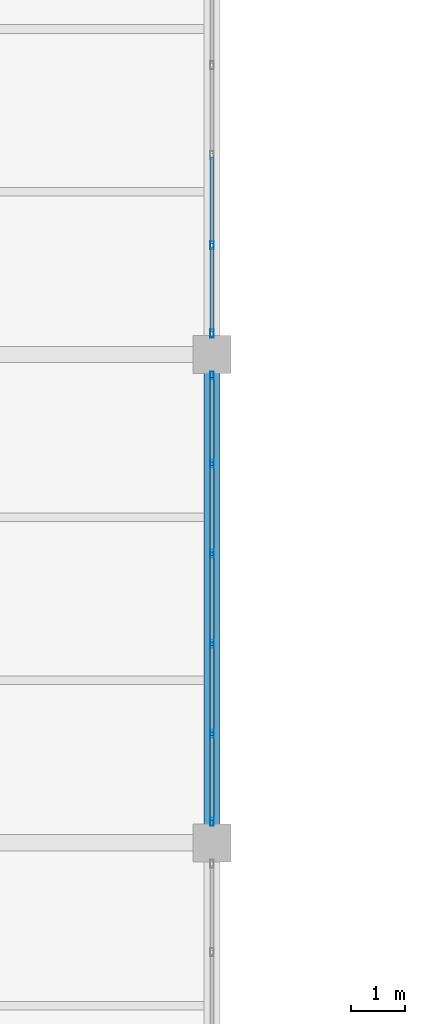
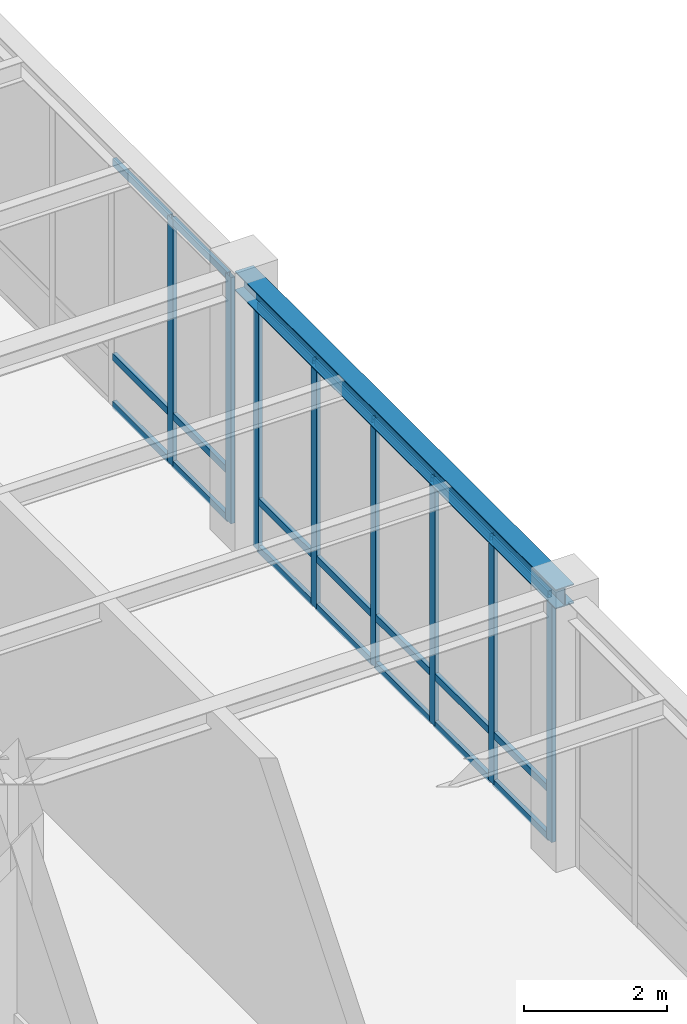
# One storey, part 37 of 98: 29 members, 1 beam, 2 elements without a shape of their own.
"""IFC4 building model written with IfcOpenShell, lengths in metres."""

import ifcopenshell
import ifcopenshell.guid

model = None  # the IFC model being written
_history = None  # IfcOwnerHistory: only IFC2X3 demands one
_inside = {}  # id of a spatial element -> (the spatial element, [elements in it])
_under = {}  # id of a project, library or spatial element -> (it, [spatial elements below it])
_declared = {}  # id of a project -> (the project, [libraries it declares])
_typed = {}  # id of a type object -> (the type object, [elements of that type])
_made_of = {}  # id of a material, layer set ... -> (it, [elements and type objects made of it])


def new_model(schema):
    """Start an empty IFC model of exactly this schema.

    Asked for "IFC4X3", IfcOpenShell would pick the latest addendum, in which some entities
    have other attributes; the version numbers below select the first issue.
    IFC2X3 requires an IfcOwnerHistory on every rooted entity: one is made here for all.
    """
    global model, _history
    if schema == "IFC4X3":
        model = ifcopenshell.file(schema_version=(4, 3, 0, 0))
    else:
        model = ifcopenshell.file(schema=schema)
    _inside.clear()
    _under.clear()
    _declared.clear()
    _typed.clear()
    _made_of.clear()
    _history = None
    if model.schema == "IFC2X3":
        org = make("IfcOrganization", Name="unknown")
        user = make(
            "IfcPersonAndOrganization",
            ThePerson=make("IfcPerson", FamilyName="unknown"),
            TheOrganization=org,
        )
        app = make(
            "IfcApplication",
            ApplicationDeveloper=org,
            Version="unknown",
            ApplicationFullName="unknown",
            ApplicationIdentifier="unknown",
        )
        _history = make(
            "IfcOwnerHistory",
            OwningUser=user,
            OwningApplication=app,
            ChangeAction="ADDED",
            CreationDate=0,
        )
    return model


def make(cls, **values):
    """One entity of the class cls with the attributes given. An attribute that is None is left unset."""
    return model.create_entity(
        cls, **{name: value for name, value in values.items() if value is not None}
    )


def rooted(cls, **values):
    """An entity with a GlobalId (a new one), such as an element, a storey or a relation."""
    return make(cls, GlobalId=ifcopenshell.guid.new(), OwnerHistory=_history, **values)


def si_unit(unit_type, name, prefix=None):
    """IfcSIUnit, for example si_unit("LENGTHUNIT", "METRE", prefix="MILLI")."""
    return make("IfcSIUnit", UnitType=unit_type, Prefix=prefix, Name=name)


def assignment(units):
    """IfcUnitAssignment: the units of a project."""
    return None if units is None else make("IfcUnitAssignment", Units=units)


def point(xyz):
    """IfcCartesianPoint."""
    return None if xyz is None else make("IfcCartesianPoint", Coordinates=xyz)


def direction(xyz):
    """IfcDirection."""
    return None if xyz is None else make("IfcDirection", DirectionRatios=xyz)


def frame(location, z_axis=None, x_axis=None):
    """IfcAxis2Placement3D, a coordinate frame: its origin and axes. An axis left out is left unset."""
    return make(
        "IfcAxis2Placement3D",
        Location=point(location),
        Axis=direction(z_axis),
        RefDirection=direction(x_axis),
    )


def frame_2d(location, x_axis=None):
    """IfcAxis2Placement2D, a coordinate frame in the plane: its origin and x axis."""
    return make(
        "IfcAxis2Placement2D", Location=point(location), RefDirection=direction(x_axis)
    )


def origin():
    """The frame at (0, 0, 0) with its axes left unset."""
    return frame((0.0, 0.0, 0.0))


def origin_2d():
    """The frame at (0, 0) in the plane with its x axis left unset."""
    return frame_2d((0.0, 0.0))


def place(relative_to, where):
    """IfcLocalPlacement: puts the frame where relative to a parent placement (None: the world)."""
    return make(
        "IfcLocalPlacement", PlacementRelTo=relative_to, RelativePlacement=where
    )


def context(
    kind, dimensions, precision=None, world=None, true_north=None, identifier=None
):
    """IfcGeometricRepresentationContext, for example the 3D "Model" context."""
    return make(
        "IfcGeometricRepresentationContext",
        ContextIdentifier=identifier,
        ContextType=kind,
        CoordinateSpaceDimension=dimensions,
        Precision=precision,
        WorldCoordinateSystem=world,
        TrueNorth=true_north,
    )


def subcontext(parent, identifier, kind, view, scale=None):
    """IfcGeometricRepresentationSubContext, for example "Body" below "Model"."""
    return make(
        "IfcGeometricRepresentationSubContext",
        ContextIdentifier=identifier,
        ContextType=kind,
        ParentContext=parent,
        TargetScale=scale,
        TargetView=view,
    )


def project(units=None, contexts=None):
    """IfcProject with its units and contexts."""
    return rooted(
        "IfcProject",
        Name="project",
        RepresentationContexts=contexts,
        UnitsInContext=assignment(units),
    )


def spatial(cls, under=None, at=None, **own):
    """A site, building, storey or space (cls), placed at a placement, below another one or the project."""
    s = rooted(cls, ObjectPlacement=at, **own)
    if under is not None:
        _under.setdefault(under.id(), (under, []))[1].append(s)
    return s


def profile(cls, at=None, kind="AREA", **sizes):
    """A parametric profile (cls). Its sizes go by their IFC names, for example OverallWidth=200.0."""
    return make(cls, ProfileType=kind, Position=at, **sizes)


def hollow_rectangle(**sizes):
    """IfcRectangleHollowProfileDef."""
    return profile("IfcRectangleHollowProfileDef", **sizes)


def i_section(**sizes):
    """IfcIShapeProfileDef."""
    return profile("IfcIShapeProfileDef", **sizes)


def extrude(swept, where, along, depth):
    """IfcExtrudedAreaSolid: the profile swept, set in the frame where, extruded along a direction by depth."""
    return make(
        "IfcExtrudedAreaSolid",
        SweptArea=swept,
        Position=where,
        ExtrudedDirection=direction(along),
        Depth=depth,
    )


def shape(context_of_items, identifier, shape_type, items):
    """IfcShapeRepresentation: the items that make up one representation, for example the "Body"."""
    return make(
        "IfcShapeRepresentation",
        ContextOfItems=context_of_items,
        RepresentationIdentifier=identifier,
        RepresentationType=shape_type,
        Items=items,
    )


def material(Name=None, Category=None):
    """IfcMaterial."""
    return make("IfcMaterial", Name=Name, Category=Category)


def material_profile(
    of_material, cross_section, Name=None, Category=None, Priority=None
):
    """IfcMaterialProfile: a cross section and its material."""
    return make(
        "IfcMaterialProfile",
        Name=Name,
        Material=of_material,
        Profile=cross_section,
        Priority=Priority,
        Category=Category,
    )


def profile_set(profiles, Name=None, composite=None):
    """IfcMaterialProfileSet."""
    return make(
        "IfcMaterialProfileSet",
        Name=Name,
        MaterialProfiles=profiles,
        CompositeProfile=composite,
    )


def made_of(thing, what):
    """Note that an element or type object is made of a material, layer set ...; save() writes the relation."""
    if what is not None:
        _made_of.setdefault(what.id(), (what, []))[1].append(thing)
    return thing


def type_object(cls, material=None, **own):
    """A type object (cls), such as IfcWallType, which elements share."""
    return made_of(rooted(cls, **own), material)


def element(
    cls,
    number,
    at=None,
    inside=None,
    cuts=None,
    type_object=None,
    material=None,
    context=None,
    identifier="Body",
    shape_type=None,
    held_by="IfcProductDefinitionShape",
    body=None,
    shapes=None,
    **own,
):
    """One element of the class cls, such as IfcWall. Its Tag is "e" and its number.

    at: its placement. inside: the storey or other place that contains it. cuts: it is an
    opening in that element (IfcRelVoidsElement). A single representation is given by context,
    identifier, shape_type and body (its items); several are given by shapes. held_by: the class
    of the entity that holds the representations. save() writes the other relations.
    """
    e = rooted(cls, Tag="e%d" % number, ObjectPlacement=at, **own)
    if body is not None:
        shapes = [shape(context, identifier, shape_type, body)]
    if shapes is not None:
        e.Representation = make(held_by, Representations=shapes)
    if inside is not None:
        _inside.setdefault(inside.id(), (inside, []))[1].append(e)
    if cuts is not None:
        rooted(
            "IfcRelVoidsElement", RelatingBuildingElement=cuts, RelatedOpeningElement=e
        )
    if type_object is not None:
        _typed.setdefault(type_object.id(), (type_object, []))[1].append(e)
    return made_of(e, material)


def aggregate(whole, parts):
    """IfcRelAggregates: a whole, such as a stair, and the parts it consists of."""
    return rooted("IfcRelAggregates", RelatingObject=whole, RelatedObjects=parts)


def save(model, path):
    """Write the relations noted so far, then the file.

    IfcRelAggregates (storeys below a building ...), IfcRelContainedInSpatialStructure (elements
    in a storey), IfcRelDefinesByType, IfcRelAssociatesMaterial and IfcRelDeclares: one each for
    every whole, place, type object, material and project.
    """
    for whole, parts in _under.values():
        aggregate(whole, parts)
    for where, things in _inside.values():
        rooted(
            "IfcRelContainedInSpatialStructure",
            RelatedElements=things,
            RelatingStructure=where,
        )
    for kind, things in _typed.values():
        rooted("IfcRelDefinesByType", RelatedObjects=things, RelatingType=kind)
    for what, things in _made_of.values():
        rooted("IfcRelAssociatesMaterial", RelatedObjects=things, RelatingMaterial=what)
    for by, libraries in _declared.values():
        rooted("IfcRelDeclares", RelatingContext=by, RelatedDefinitions=libraries)
    model.write(path)


model = new_model("IFC4")

# Units and contexts
model_context = context("Model", 3, precision=1e-05, world=origin(), true_north=direction((0.0, 1.0)))
body_context = subcontext(model_context, "Body", "Model", "MODEL_VIEW")
ifc_project = project(units=[si_unit("LENGTHUNIT", "METRE"), si_unit("AREAUNIT", "SQUARE_METRE"), si_unit("VOLUMEUNIT", "CUBIC_METRE"), si_unit("PLANEANGLEUNIT", "RADIAN"), si_unit("MASSUNIT", "GRAM", prefix="KILO")], contexts=[model_context])

# Site, building, storey
site_placement = place(None, origin())
site = spatial("IfcSite", under=ifc_project, at=site_placement, CompositionType="ELEMENT")
building_placement = place(site_placement, origin())
building = spatial("IfcBuilding", under=site, at=building_placement, Name="Lykobir Media Centre", CompositionType="ELEMENT")
storey_placement = place(building_placement, frame((0.0, 0.0, 10.199951171875)))
storey = spatial("IfcBuildingStorey", under=building, at=storey_placement, Name="L02", CompositionType="ELEMENT", Elevation=10.199951171875)

# Beam
ifc_material_1 = material(Name="Steel S355", Category="steel")
ifc_material_profile_1 = material_profile(ifc_material_1, i_section(OverallWidth=0.300048828125, OverallDepth=0.330078125, WebThickness=0.009521484375, FlangeThickness=0.0166015625, at=origin_2d()), Name="HEA 340")
ifc_profile_set_1 = profile_set([ifc_material_profile_1], Name="Steel S355")
beam_type = type_object("IfcBeamType", Name="BM-HEA340", PredefinedType="BEAM", material=ifc_profile_set_1)
beam_placement = place(storey_placement, frame((99.0, 45.0, 4.39501953125), z_axis=(0.0, 1.0, 0.0), x_axis=(-1.0, 0.0, 0.0)))
element("IfcBeam", 1, at=beam_placement, inside=storey, type_object=beam_type, Name="Beam BM-L02-0990-0450-0990-0540-1460", PredefinedType="BEAM", context=body_context, shape_type="SweptSolid", body=[
    extrude(i_section(OverallWidth=0.300048828125, OverallDepth=0.330078125, WebThickness=0.009521484375, FlangeThickness=0.0166015625, at=origin_2d()), origin(), (0.0, 0.0, 1.0), 9.0),
])

# Curtain wall, members
ifc_material_2 = material(Name="Anodized Aluminium AW-6060", Category="aluminium")
curtain_wall_type = type_object("IfcCurtainWallType", Name="CW-COURT-A", PredefinedType="NOTDEFINED", material=ifc_material_2)
curtain_wall_1_placement = place(storey_placement, origin())
curtain_wall_1 = element("IfcCurtainWall", 2, at=curtain_wall_1_placement, inside=storey, type_object=curtain_wall_type, Name="Curtain wall CW2-L02-0105", PredefinedType="NOTDEFINED")
ifc_material_profile_2 = material_profile(ifc_material_2, hollow_rectangle(XDim=0.06494140625, YDim=0.14990234375, WallThickness=0.00341796875, at=origin_2d()), Name="ALU MULLION 65x150")
ifc_profile_set_2 = profile_set([ifc_material_profile_2], Name="Anodized Aluminium AW-6060")
member_type_1 = type_object("IfcMemberType", Name="CWM-150", PredefinedType="MULLION", material=ifc_profile_set_2)
member_1_placement = place(storey_placement, frame((99.0, 53.612548828125, 0.0), z_axis=(0.0, 0.0, 1.0), x_axis=(1.0, 0.0, 0.0)))
member_1 = element("IfcMember", 3, at=member_1_placement, type_object=member_type_1, Name="CW2-L02-0105 mullion 1", PredefinedType="MULLION", context=body_context, shape_type="SweptSolid", body=[
    extrude(hollow_rectangle(XDim=0.06494140625, YDim=0.14990234375, WallThickness=0.00341796875, at=origin_2d()), origin(), (0.0, 0.0, 1.0), 4.215087890625),
])
member_2_placement = place(storey_placement, frame((99.0, 51.987060546875, 0.0), z_axis=(0.0, 0.0, 1.0), x_axis=(1.0, 0.0, 0.0)))
member_2 = element("IfcMember", 4, at=member_2_placement, type_object=member_type_1, Name="CW2-L02-0105 mullion 2", PredefinedType="MULLION", context=body_context, shape_type="SweptSolid", body=[
    extrude(hollow_rectangle(XDim=0.06494140625, YDim=0.14990234375, WallThickness=0.00341796875, at=origin_2d()), origin(), (0.0, 0.0, 1.0), 4.215087890625),
])
member_3_placement = place(storey_placement, frame((99.0, 50.3291015625, 0.0), z_axis=(0.0, 0.0, 1.0), x_axis=(1.0, 0.0, 0.0)))
member_3 = element("IfcMember", 5, at=member_3_placement, type_object=member_type_1, Name="CW2-L02-0105 mullion 3", PredefinedType="MULLION", context=body_context, shape_type="SweptSolid", body=[
    extrude(hollow_rectangle(XDim=0.06494140625, YDim=0.14990234375, WallThickness=0.00341796875, at=origin_2d()), origin(), (0.0, 0.0, 1.0), 4.215087890625),
])
member_4_placement = place(storey_placement, frame((99.0, 48.6708984375, 0.0), z_axis=(0.0, 0.0, 1.0), x_axis=(1.0, 0.0, 0.0)))
member_4 = element("IfcMember", 6, at=member_4_placement, type_object=member_type_1, Name="CW2-L02-0105 mullion 4", PredefinedType="MULLION", context=body_context, shape_type="SweptSolid", body=[
    extrude(hollow_rectangle(XDim=0.06494140625, YDim=0.14990234375, WallThickness=0.00341796875, at=origin_2d()), origin(), (0.0, 0.0, 1.0), 4.215087890625),
])
member_5_placement = place(storey_placement, frame((99.0, 47.012939453125, 0.0), z_axis=(0.0, 0.0, 1.0), x_axis=(1.0, 0.0, 0.0)))
member_5 = element("IfcMember", 7, at=member_5_placement, type_object=member_type_1, Name="CW2-L02-0105 mullion 5", PredefinedType="MULLION", context=body_context, shape_type="SweptSolid", body=[
    extrude(hollow_rectangle(XDim=0.06494140625, YDim=0.14990234375, WallThickness=0.00341796875, at=origin_2d()), origin(), (0.0, 0.0, 1.0), 4.215087890625),
])
member_6_placement = place(storey_placement, frame((99.0, 45.387451171875, 0.0), z_axis=(0.0, 0.0, 1.0), x_axis=(1.0, 0.0, 0.0)))
member_6 = element("IfcMember", 8, at=member_6_placement, type_object=member_type_1, Name="CW2-L02-0105 mullion 6", PredefinedType="MULLION", context=body_context, shape_type="SweptSolid", body=[
    extrude(hollow_rectangle(XDim=0.06494140625, YDim=0.14990234375, WallThickness=0.00341796875, at=origin_2d()), origin(), (0.0, 0.0, 1.0), 4.215087890625),
])

curtain_wall_2_placement = place(storey_placement, origin())
curtain_wall_2 = element("IfcCurtainWall", 9, at=curtain_wall_2_placement, inside=storey, type_object=curtain_wall_type, Name="Curtain wall CW2-L02-0106", PredefinedType="NOTDEFINED")
member_7_placement = place(storey_placement, frame((99.0, 56.012939453125, 0.0), z_axis=(0.0, 0.0, 1.0), x_axis=(1.0, 0.0, 0.0)))
member_7 = element("IfcMember", 10, at=member_7_placement, type_object=member_type_1, Name="CW2-L02-0106 mullion 5", PredefinedType="MULLION", context=body_context, shape_type="SweptSolid", body=[
    extrude(hollow_rectangle(XDim=0.06494140625, YDim=0.14990234375, WallThickness=0.00341796875, at=origin_2d()), origin(), (0.0, 0.0, 1.0), 4.215087890625),
])
member_8_placement = place(storey_placement, frame((99.0, 54.387451171875, 0.0), z_axis=(0.0, 0.0, 1.0), x_axis=(1.0, 0.0, 0.0)))
member_8 = element("IfcMember", 11, at=member_8_placement, type_object=member_type_1, Name="CW2-L02-0106 mullion 6", PredefinedType="MULLION", context=body_context, shape_type="SweptSolid", body=[
    extrude(hollow_rectangle(XDim=0.06494140625, YDim=0.14990234375, WallThickness=0.00341796875, at=origin_2d()), origin(), (0.0, 0.0, 1.0), 4.215087890625),
])

# Member
ifc_material_profile_3 = material_profile(ifc_material_2, hollow_rectangle(XDim=0.06494140625, YDim=0.1201171875, WallThickness=0.0029296875, at=origin_2d()), Name="ALU TRANSOM 65x120")
ifc_profile_set_3 = profile_set([ifc_material_profile_3], Name="Anodized Aluminium AW-6060")
member_type_2 = type_object("IfcMemberType", Name="CWT-120", PredefinedType="USERDEFINED", material=ifc_profile_set_3)
member_9_placement = place(storey_placement, frame((99.0, 53.580078125, 0.032470703125), z_axis=(0.0, -1.0, 0.0), x_axis=(1.0, 0.0, 0.0)))
member_9 = element("IfcMember", 12, at=member_9_placement, type_object=member_type_2, Name="CW2-L02-0105 transom 1.1", ObjectType="TRANSOM", PredefinedType="USERDEFINED", context=body_context, shape_type="SweptSolid", body=[
    extrude(hollow_rectangle(XDim=0.06494140625, YDim=0.1201171875, WallThickness=0.0029296875, at=origin_2d()), origin(), (0.0, 0.0, 1.0), 1.560546875),
])

member_10_placement = place(storey_placement, frame((99.0, 53.580078125, 0.85009765625), z_axis=(0.0, -1.0, 0.0), x_axis=(1.0, 0.0, 0.0)))
member_10 = element("IfcMember", 13, at=member_10_placement, type_object=member_type_2, Name="CW2-L02-0105 transom 1.2", ObjectType="TRANSOM", PredefinedType="USERDEFINED", context=body_context, shape_type="SweptSolid", body=[
    extrude(hollow_rectangle(XDim=0.06494140625, YDim=0.1201171875, WallThickness=0.0029296875, at=origin_2d()), origin(), (0.0, 0.0, 1.0), 1.560546875),
])

member_11_placement = place(storey_placement, frame((99.0, 53.580078125, 4.1826171875), z_axis=(0.0, -1.0, 0.0), x_axis=(1.0, 0.0, 0.0)))
member_11 = element("IfcMember", 14, at=member_11_placement, type_object=member_type_2, Name="CW2-L02-0105 transom 1.3", ObjectType="TRANSOM", PredefinedType="USERDEFINED", context=body_context, shape_type="SweptSolid", body=[
    extrude(hollow_rectangle(XDim=0.06494140625, YDim=0.1201171875, WallThickness=0.0029296875, at=origin_2d()), origin(), (0.0, 0.0, 1.0), 1.560546875),
])

member_12_placement = place(storey_placement, frame((99.0, 51.95458984375, 0.032470703125), z_axis=(0.0, -1.0, 0.0), x_axis=(1.0, 0.0, 0.0)))
member_12 = element("IfcMember", 15, at=member_12_placement, type_object=member_type_2, Name="CW2-L02-0105 transom 2.1", ObjectType="TRANSOM", PredefinedType="USERDEFINED", context=body_context, shape_type="SweptSolid", body=[
    extrude(hollow_rectangle(XDim=0.06494140625, YDim=0.1201171875, WallThickness=0.0029296875, at=origin_2d()), origin(), (0.0, 0.0, 1.0), 1.593017578125),
])

member_13_placement = place(storey_placement, frame((99.0, 51.95458984375, 0.85009765625), z_axis=(0.0, -1.0, 0.0), x_axis=(1.0, 0.0, 0.0)))
member_13 = element("IfcMember", 16, at=member_13_placement, type_object=member_type_2, Name="CW2-L02-0105 transom 2.2", ObjectType="TRANSOM", PredefinedType="USERDEFINED", context=body_context, shape_type="SweptSolid", body=[
    extrude(hollow_rectangle(XDim=0.06494140625, YDim=0.1201171875, WallThickness=0.0029296875, at=origin_2d()), origin(), (0.0, 0.0, 1.0), 1.593017578125),
])

member_14_placement = place(storey_placement, frame((99.0, 51.95458984375, 4.1826171875), z_axis=(0.0, -1.0, 0.0), x_axis=(1.0, 0.0, 0.0)))
member_14 = element("IfcMember", 17, at=member_14_placement, type_object=member_type_2, Name="CW2-L02-0105 transom 2.3", ObjectType="TRANSOM", PredefinedType="USERDEFINED", context=body_context, shape_type="SweptSolid", body=[
    extrude(hollow_rectangle(XDim=0.06494140625, YDim=0.1201171875, WallThickness=0.0029296875, at=origin_2d()), origin(), (0.0, 0.0, 1.0), 1.593017578125),
])

member_15_placement = place(storey_placement, frame((99.0, 50.29638671875, 0.032470703125), z_axis=(0.0, -1.0, 0.0), x_axis=(1.0, 0.0, 0.0)))
member_15 = element("IfcMember", 18, at=member_15_placement, type_object=member_type_2, Name="CW2-L02-0105 transom 3.1", ObjectType="TRANSOM", PredefinedType="USERDEFINED", context=body_context, shape_type="SweptSolid", body=[
    extrude(hollow_rectangle(XDim=0.06494140625, YDim=0.1201171875, WallThickness=0.0029296875, at=origin_2d()), origin(), (0.0, 0.0, 1.0), 1.5927734375),
])

member_16_placement = place(storey_placement, frame((99.0, 50.29638671875, 0.85009765625), z_axis=(0.0, -1.0, 0.0), x_axis=(1.0, 0.0, 0.0)))
member_16 = element("IfcMember", 19, at=member_16_placement, type_object=member_type_2, Name="CW2-L02-0105 transom 3.2", ObjectType="TRANSOM", PredefinedType="USERDEFINED", context=body_context, shape_type="SweptSolid", body=[
    extrude(hollow_rectangle(XDim=0.06494140625, YDim=0.1201171875, WallThickness=0.0029296875, at=origin_2d()), origin(), (0.0, 0.0, 1.0), 1.5927734375),
])

member_17_placement = place(storey_placement, frame((99.0, 50.29638671875, 4.1826171875), z_axis=(0.0, -1.0, 0.0), x_axis=(1.0, 0.0, 0.0)))
member_17 = element("IfcMember", 20, at=member_17_placement, type_object=member_type_2, Name="CW2-L02-0105 transom 3.3", ObjectType="TRANSOM", PredefinedType="USERDEFINED", context=body_context, shape_type="SweptSolid", body=[
    extrude(hollow_rectangle(XDim=0.06494140625, YDim=0.1201171875, WallThickness=0.0029296875, at=origin_2d()), origin(), (0.0, 0.0, 1.0), 1.5927734375),
])

member_18_placement = place(storey_placement, frame((99.0, 48.638427734375, 0.032470703125), z_axis=(0.0, -1.0, 0.0), x_axis=(1.0, 0.0, 0.0)))
member_18 = element("IfcMember", 21, at=member_18_placement, type_object=member_type_2, Name="CW2-L02-0105 transom 4.1", ObjectType="TRANSOM", PredefinedType="USERDEFINED", context=body_context, shape_type="SweptSolid", body=[
    extrude(hollow_rectangle(XDim=0.06494140625, YDim=0.1201171875, WallThickness=0.0029296875, at=origin_2d()), origin(), (0.0, 0.0, 1.0), 1.593017578125),
])

member_19_placement = place(storey_placement, frame((99.0, 48.638427734375, 0.85009765625), z_axis=(0.0, -1.0, 0.0), x_axis=(1.0, 0.0, 0.0)))
member_19 = element("IfcMember", 22, at=member_19_placement, type_object=member_type_2, Name="CW2-L02-0105 transom 4.2", ObjectType="TRANSOM", PredefinedType="USERDEFINED", context=body_context, shape_type="SweptSolid", body=[
    extrude(hollow_rectangle(XDim=0.06494140625, YDim=0.1201171875, WallThickness=0.0029296875, at=origin_2d()), origin(), (0.0, 0.0, 1.0), 1.593017578125),
])

member_20_placement = place(storey_placement, frame((99.0, 48.638427734375, 4.1826171875), z_axis=(0.0, -1.0, 0.0), x_axis=(1.0, 0.0, 0.0)))
member_20 = element("IfcMember", 23, at=member_20_placement, type_object=member_type_2, Name="CW2-L02-0105 transom 4.3", ObjectType="TRANSOM", PredefinedType="USERDEFINED", context=body_context, shape_type="SweptSolid", body=[
    extrude(hollow_rectangle(XDim=0.06494140625, YDim=0.1201171875, WallThickness=0.0029296875, at=origin_2d()), origin(), (0.0, 0.0, 1.0), 1.593017578125),
])

member_21_placement = place(storey_placement, frame((99.0, 46.98046875, 0.032470703125), z_axis=(0.0, -1.0, 0.0), x_axis=(1.0, 0.0, 0.0)))
member_21 = element("IfcMember", 24, at=member_21_placement, type_object=member_type_2, Name="CW2-L02-0105 transom 5.1", ObjectType="TRANSOM", PredefinedType="USERDEFINED", context=body_context, shape_type="SweptSolid", body=[
    extrude(hollow_rectangle(XDim=0.06494140625, YDim=0.1201171875, WallThickness=0.0029296875, at=origin_2d()), origin(), (0.0, 0.0, 1.0), 1.560546875),
])

member_22_placement = place(storey_placement, frame((99.0, 46.98046875, 0.85009765625), z_axis=(0.0, -1.0, 0.0), x_axis=(1.0, 0.0, 0.0)))
member_22 = element("IfcMember", 25, at=member_22_placement, type_object=member_type_2, Name="CW2-L02-0105 transom 5.2", ObjectType="TRANSOM", PredefinedType="USERDEFINED", context=body_context, shape_type="SweptSolid", body=[
    extrude(hollow_rectangle(XDim=0.06494140625, YDim=0.1201171875, WallThickness=0.0029296875, at=origin_2d()), origin(), (0.0, 0.0, 1.0), 1.560546875),
])

member_23_placement = place(storey_placement, frame((99.0, 46.98046875, 4.1826171875), z_axis=(0.0, -1.0, 0.0), x_axis=(1.0, 0.0, 0.0)))
member_23 = element("IfcMember", 26, at=member_23_placement, type_object=member_type_2, Name="CW2-L02-0105 transom 5.3", ObjectType="TRANSOM", PredefinedType="USERDEFINED", context=body_context, shape_type="SweptSolid", body=[
    extrude(hollow_rectangle(XDim=0.06494140625, YDim=0.1201171875, WallThickness=0.0029296875, at=origin_2d()), origin(), (0.0, 0.0, 1.0), 1.560546875),
])

aggregate(curtain_wall_1, [member_1, member_2, member_3, member_4, member_5, member_6, member_9, member_10, member_11, member_12, member_13, member_14, member_15, member_16, member_17, member_18, member_19, member_20, member_21, member_22, member_23])

member_24_placement = place(storey_placement, frame((99.0, 57.638427734375, 0.032470703125), z_axis=(0.0, -1.0, 0.0), x_axis=(1.0, 0.0, 0.0)))
member_24 = element("IfcMember", 27, at=member_24_placement, type_object=member_type_2, Name="CW2-L02-0106 transom 4.1", ObjectType="TRANSOM", PredefinedType="USERDEFINED", context=body_context, shape_type="SweptSolid", body=[
    extrude(hollow_rectangle(XDim=0.06494140625, YDim=0.1201171875, WallThickness=0.0029296875, at=origin_2d()), origin(), (0.0, 0.0, 1.0), 1.593017578125),
])

member_25_placement = place(storey_placement, frame((99.0, 57.638427734375, 0.85009765625), z_axis=(0.0, -1.0, 0.0), x_axis=(1.0, 0.0, 0.0)))
member_25 = element("IfcMember", 28, at=member_25_placement, type_object=member_type_2, Name="CW2-L02-0106 transom 4.2", ObjectType="TRANSOM", PredefinedType="USERDEFINED", context=body_context, shape_type="SweptSolid", body=[
    extrude(hollow_rectangle(XDim=0.06494140625, YDim=0.1201171875, WallThickness=0.0029296875, at=origin_2d()), origin(), (0.0, 0.0, 1.0), 1.593017578125),
])

member_26_placement = place(storey_placement, frame((99.0, 57.638427734375, 4.1826171875), z_axis=(0.0, -1.0, 0.0), x_axis=(1.0, 0.0, 0.0)))
member_26 = element("IfcMember", 29, at=member_26_placement, type_object=member_type_2, Name="CW2-L02-0106 transom 4.3", ObjectType="TRANSOM", PredefinedType="USERDEFINED", context=body_context, shape_type="SweptSolid", body=[
    extrude(hollow_rectangle(XDim=0.06494140625, YDim=0.1201171875, WallThickness=0.0029296875, at=origin_2d()), origin(), (0.0, 0.0, 1.0), 1.593017578125),
])

member_27_placement = place(storey_placement, frame((99.0, 55.98046875, 0.032470703125), z_axis=(0.0, -1.0, 0.0), x_axis=(1.0, 0.0, 0.0)))
member_27 = element("IfcMember", 30, at=member_27_placement, type_object=member_type_2, Name="CW2-L02-0106 transom 5.1", ObjectType="TRANSOM", PredefinedType="USERDEFINED", context=body_context, shape_type="SweptSolid", body=[
    extrude(hollow_rectangle(XDim=0.06494140625, YDim=0.1201171875, WallThickness=0.0029296875, at=origin_2d()), origin(), (0.0, 0.0, 1.0), 1.560546875),
])

member_28_placement = place(storey_placement, frame((99.0, 55.98046875, 0.85009765625), z_axis=(0.0, -1.0, 0.0), x_axis=(1.0, 0.0, 0.0)))
member_28 = element("IfcMember", 31, at=member_28_placement, type_object=member_type_2, Name="CW2-L02-0106 transom 5.2", ObjectType="TRANSOM", PredefinedType="USERDEFINED", context=body_context, shape_type="SweptSolid", body=[
    extrude(hollow_rectangle(XDim=0.06494140625, YDim=0.1201171875, WallThickness=0.0029296875, at=origin_2d()), origin(), (0.0, 0.0, 1.0), 1.560546875),
])

member_29_placement = place(storey_placement, frame((99.0, 55.98046875, 4.1826171875), z_axis=(0.0, -1.0, 0.0), x_axis=(1.0, 0.0, 0.0)))
member_29 = element("IfcMember", 32, at=member_29_placement, type_object=member_type_2, Name="CW2-L02-0106 transom 5.3", ObjectType="TRANSOM", PredefinedType="USERDEFINED", context=body_context, shape_type="SweptSolid", body=[
    extrude(hollow_rectangle(XDim=0.06494140625, YDim=0.1201171875, WallThickness=0.0029296875, at=origin_2d()), origin(), (0.0, 0.0, 1.0), 1.560546875),
])

aggregate(curtain_wall_2, [member_7, member_8, member_24, member_25, member_26, member_27, member_28, member_29])

save(model, "model.ifc")
